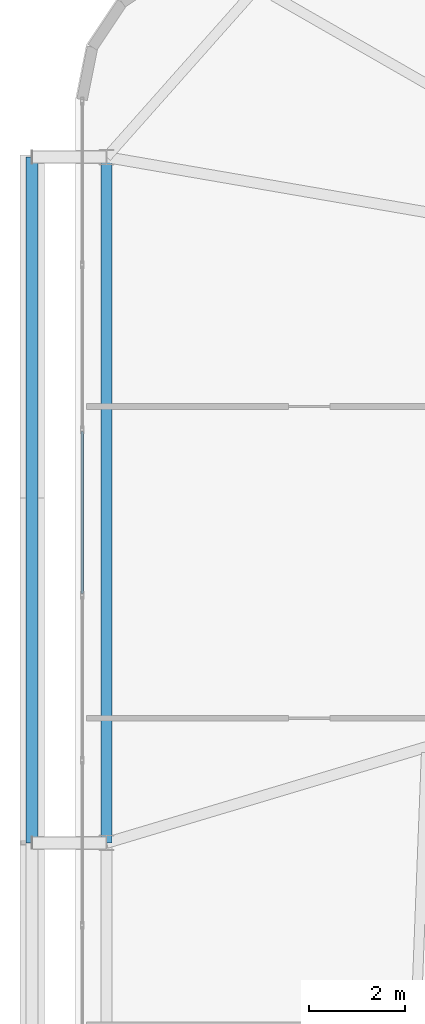
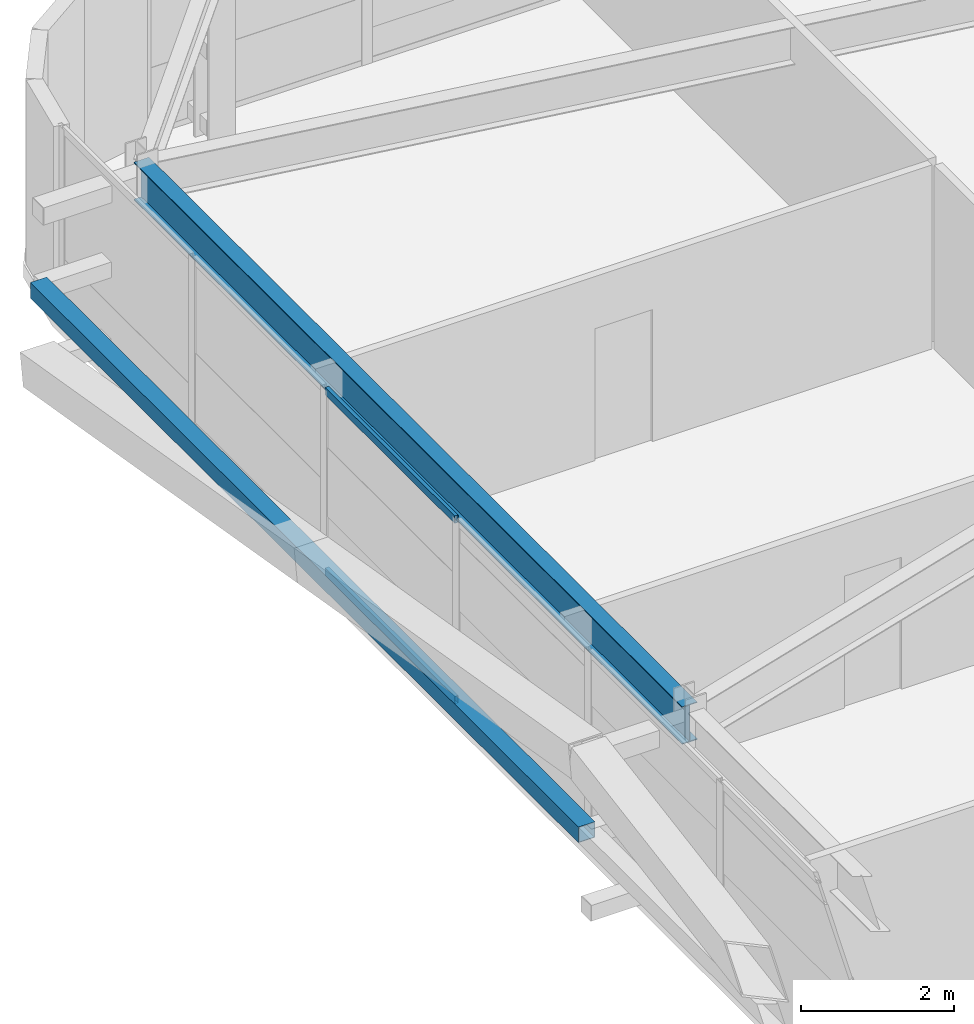
# One storey, part 17 of 59: 3 members, 1 beam, 1 element without a shape of its own.
"""IFC4 building model written with IfcOpenShell, lengths in metres."""

import ifcopenshell
import ifcopenshell.guid

model = None  # the IFC model being written
_history = None  # IfcOwnerHistory: only IFC2X3 demands one
_inside = {}  # id of a spatial element -> (the spatial element, [elements in it])
_under = {}  # id of a project, library or spatial element -> (it, [spatial elements below it])
_declared = {}  # id of a project -> (the project, [libraries it declares])
_typed = {}  # id of a type object -> (the type object, [elements of that type])
_made_of = {}  # id of a material, layer set ... -> (it, [elements and type objects made of it])


def new_model(schema):
    """Start an empty IFC model of exactly this schema.

    Asked for "IFC4X3", IfcOpenShell would pick the latest addendum, in which some entities
    have other attributes; the version numbers below select the first issue.
    IFC2X3 requires an IfcOwnerHistory on every rooted entity: one is made here for all.
    """
    global model, _history
    if schema == "IFC4X3":
        model = ifcopenshell.file(schema_version=(4, 3, 0, 0))
    else:
        model = ifcopenshell.file(schema=schema)
    _inside.clear()
    _under.clear()
    _declared.clear()
    _typed.clear()
    _made_of.clear()
    _history = None
    if model.schema == "IFC2X3":
        org = make("IfcOrganization", Name="unknown")
        user = make(
            "IfcPersonAndOrganization",
            ThePerson=make("IfcPerson", FamilyName="unknown"),
            TheOrganization=org,
        )
        app = make(
            "IfcApplication",
            ApplicationDeveloper=org,
            Version="unknown",
            ApplicationFullName="unknown",
            ApplicationIdentifier="unknown",
        )
        _history = make(
            "IfcOwnerHistory",
            OwningUser=user,
            OwningApplication=app,
            ChangeAction="ADDED",
            CreationDate=0,
        )
    return model


def make(cls, **values):
    """One entity of the class cls with the attributes given. An attribute that is None is left unset."""
    return model.create_entity(
        cls, **{name: value for name, value in values.items() if value is not None}
    )


def rooted(cls, **values):
    """An entity with a GlobalId (a new one), such as an element, a storey or a relation."""
    return make(cls, GlobalId=ifcopenshell.guid.new(), OwnerHistory=_history, **values)


def si_unit(unit_type, name, prefix=None):
    """IfcSIUnit, for example si_unit("LENGTHUNIT", "METRE", prefix="MILLI")."""
    return make("IfcSIUnit", UnitType=unit_type, Prefix=prefix, Name=name)


def assignment(units):
    """IfcUnitAssignment: the units of a project."""
    return None if units is None else make("IfcUnitAssignment", Units=units)


def point(xyz):
    """IfcCartesianPoint."""
    return None if xyz is None else make("IfcCartesianPoint", Coordinates=xyz)


def direction(xyz):
    """IfcDirection."""
    return None if xyz is None else make("IfcDirection", DirectionRatios=xyz)


def frame(location, z_axis=None, x_axis=None):
    """IfcAxis2Placement3D, a coordinate frame: its origin and axes. An axis left out is left unset."""
    return make(
        "IfcAxis2Placement3D",
        Location=point(location),
        Axis=direction(z_axis),
        RefDirection=direction(x_axis),
    )


def frame_2d(location, x_axis=None):
    """IfcAxis2Placement2D, a coordinate frame in the plane: its origin and x axis."""
    return make(
        "IfcAxis2Placement2D", Location=point(location), RefDirection=direction(x_axis)
    )


def origin():
    """The frame at (0, 0, 0) with its axes left unset."""
    return frame((0.0, 0.0, 0.0))


def origin_2d():
    """The frame at (0, 0) in the plane with its x axis left unset."""
    return frame_2d((0.0, 0.0))


def place(relative_to, where):
    """IfcLocalPlacement: puts the frame where relative to a parent placement (None: the world)."""
    return make(
        "IfcLocalPlacement", PlacementRelTo=relative_to, RelativePlacement=where
    )


def context(
    kind, dimensions, precision=None, world=None, true_north=None, identifier=None
):
    """IfcGeometricRepresentationContext, for example the 3D "Model" context."""
    return make(
        "IfcGeometricRepresentationContext",
        ContextIdentifier=identifier,
        ContextType=kind,
        CoordinateSpaceDimension=dimensions,
        Precision=precision,
        WorldCoordinateSystem=world,
        TrueNorth=true_north,
    )


def subcontext(parent, identifier, kind, view, scale=None):
    """IfcGeometricRepresentationSubContext, for example "Body" below "Model"."""
    return make(
        "IfcGeometricRepresentationSubContext",
        ContextIdentifier=identifier,
        ContextType=kind,
        ParentContext=parent,
        TargetScale=scale,
        TargetView=view,
    )


def project(units=None, contexts=None):
    """IfcProject with its units and contexts."""
    return rooted(
        "IfcProject",
        Name="project",
        RepresentationContexts=contexts,
        UnitsInContext=assignment(units),
    )


def spatial(cls, under=None, at=None, **own):
    """A site, building, storey or space (cls), placed at a placement, below another one or the project."""
    s = rooted(cls, ObjectPlacement=at, **own)
    if under is not None:
        _under.setdefault(under.id(), (under, []))[1].append(s)
    return s


def profile(cls, at=None, kind="AREA", **sizes):
    """A parametric profile (cls). Its sizes go by their IFC names, for example OverallWidth=200.0."""
    return make(cls, ProfileType=kind, Position=at, **sizes)


def hollow_rectangle(**sizes):
    """IfcRectangleHollowProfileDef."""
    return profile("IfcRectangleHollowProfileDef", **sizes)


def i_section(**sizes):
    """IfcIShapeProfileDef."""
    return profile("IfcIShapeProfileDef", **sizes)


def extrude(swept, where, along, depth):
    """IfcExtrudedAreaSolid: the profile swept, set in the frame where, extruded along a direction by depth."""
    return make(
        "IfcExtrudedAreaSolid",
        SweptArea=swept,
        Position=where,
        ExtrudedDirection=direction(along),
        Depth=depth,
    )


def shape(context_of_items, identifier, shape_type, items):
    """IfcShapeRepresentation: the items that make up one representation, for example the "Body"."""
    return make(
        "IfcShapeRepresentation",
        ContextOfItems=context_of_items,
        RepresentationIdentifier=identifier,
        RepresentationType=shape_type,
        Items=items,
    )


def source(mapping_origin, context_of_items, identifier, shape_type, items):
    """IfcRepresentationMap: a shape defined once, which mapped items show again and again."""
    return make(
        "IfcRepresentationMap",
        MappingOrigin=mapping_origin,
        MappedRepresentation=shape(context_of_items, identifier, shape_type, items),
    )


def transform(
    local_origin,
    x_axis=None,
    y_axis=None,
    z_axis=None,
    scale=None,
    scale2=None,
    scale3=None,
    uniform=True,
):
    """IfcCartesianTransformationOperator3D, or its non-uniform kind. x_axis, y_axis, z_axis: its Axis1, 2, 3."""
    if uniform:
        return make(
            "IfcCartesianTransformationOperator3D",
            Axis1=direction(x_axis),
            Axis2=direction(y_axis),
            LocalOrigin=point(local_origin),
            Scale=scale,
            Axis3=direction(z_axis),
        )
    return make(
        "IfcCartesianTransformationOperator3DnonUniform",
        Axis1=direction(x_axis),
        Axis2=direction(y_axis),
        LocalOrigin=point(local_origin),
        Scale=scale,
        Axis3=direction(z_axis),
        Scale2=scale2,
        Scale3=scale3,
    )


def mapped(mapping_source, mapping_target):
    """IfcMappedItem: shows the shape of a source again, moved by a transform."""
    return make(
        "IfcMappedItem", MappingSource=mapping_source, MappingTarget=mapping_target
    )


def material(Name=None, Category=None):
    """IfcMaterial."""
    return make("IfcMaterial", Name=Name, Category=Category)


def layer(
    of_material, thickness, ventilated=None, Name=None, Category=None, Priority=None
):
    """IfcMaterialLayer: one layer of a wall or slab, of a material (None: an air gap)."""
    return make(
        "IfcMaterialLayer",
        Material=of_material,
        LayerThickness=thickness,
        IsVentilated=ventilated,
        Name=Name,
        Category=Category,
        Priority=Priority,
    )


def layer_set(layers, Name=None):
    """IfcMaterialLayerSet."""
    return make("IfcMaterialLayerSet", MaterialLayers=layers, LayerSetName=Name)


def material_profile(
    of_material, cross_section, Name=None, Category=None, Priority=None
):
    """IfcMaterialProfile: a cross section and its material."""
    return make(
        "IfcMaterialProfile",
        Name=Name,
        Material=of_material,
        Profile=cross_section,
        Priority=Priority,
        Category=Category,
    )


def profile_set(profiles, Name=None, composite=None):
    """IfcMaterialProfileSet."""
    return make(
        "IfcMaterialProfileSet",
        Name=Name,
        MaterialProfiles=profiles,
        CompositeProfile=composite,
    )


def made_of(thing, what):
    """Note that an element or type object is made of a material, layer set ...; save() writes the relation."""
    if what is not None:
        _made_of.setdefault(what.id(), (what, []))[1].append(thing)
    return thing


def type_object(cls, material=None, **own):
    """A type object (cls), such as IfcWallType, which elements share."""
    return made_of(rooted(cls, **own), material)


def element(
    cls,
    number,
    at=None,
    inside=None,
    cuts=None,
    type_object=None,
    material=None,
    context=None,
    identifier="Body",
    shape_type=None,
    held_by="IfcProductDefinitionShape",
    body=None,
    shapes=None,
    **own,
):
    """One element of the class cls, such as IfcWall. Its Tag is "e" and its number.

    at: its placement. inside: the storey or other place that contains it. cuts: it is an
    opening in that element (IfcRelVoidsElement). A single representation is given by context,
    identifier, shape_type and body (its items); several are given by shapes. held_by: the class
    of the entity that holds the representations. save() writes the other relations.
    """
    e = rooted(cls, Tag="e%d" % number, ObjectPlacement=at, **own)
    if body is not None:
        shapes = [shape(context, identifier, shape_type, body)]
    if shapes is not None:
        e.Representation = make(held_by, Representations=shapes)
    if inside is not None:
        _inside.setdefault(inside.id(), (inside, []))[1].append(e)
    if cuts is not None:
        rooted(
            "IfcRelVoidsElement", RelatingBuildingElement=cuts, RelatedOpeningElement=e
        )
    if type_object is not None:
        _typed.setdefault(type_object.id(), (type_object, []))[1].append(e)
    return made_of(e, material)


def aggregate(whole, parts):
    """IfcRelAggregates: a whole, such as a stair, and the parts it consists of."""
    return rooted("IfcRelAggregates", RelatingObject=whole, RelatedObjects=parts)


def save(model, path):
    """Write the relations noted so far, then the file.

    IfcRelAggregates (storeys below a building ...), IfcRelContainedInSpatialStructure (elements
    in a storey), IfcRelDefinesByType, IfcRelAssociatesMaterial and IfcRelDeclares: one each for
    every whole, place, type object, material and project.
    """
    for whole, parts in _under.values():
        aggregate(whole, parts)
    for where, things in _inside.values():
        rooted(
            "IfcRelContainedInSpatialStructure",
            RelatedElements=things,
            RelatingStructure=where,
        )
    for kind, things in _typed.values():
        rooted("IfcRelDefinesByType", RelatedObjects=things, RelatingType=kind)
    for what, things in _made_of.values():
        rooted("IfcRelAssociatesMaterial", RelatedObjects=things, RelatingMaterial=what)
    for by, libraries in _declared.values():
        rooted("IfcRelDeclares", RelatingContext=by, RelatedDefinitions=libraries)
    model.write(path)


model = new_model("IFC4")

# Units and contexts
model_context = context("Model", 3, precision=1e-05, world=origin(), true_north=direction((0.0, 1.0)))
body_context = subcontext(model_context, "Body", "Model", "MODEL_VIEW")
ifc_project = project(units=[si_unit("LENGTHUNIT", "METRE"), si_unit("AREAUNIT", "SQUARE_METRE"), si_unit("VOLUMEUNIT", "CUBIC_METRE"), si_unit("PLANEANGLEUNIT", "RADIAN"), si_unit("MASSUNIT", "GRAM", prefix="KILO")], contexts=[model_context])

# Site, building, storey
site_placement = place(None, origin())
site = spatial("IfcSite", under=ifc_project, at=site_placement, CompositionType="ELEMENT")
building_placement = place(site_placement, origin())
building = spatial("IfcBuilding", under=site, at=building_placement, Name="Taldren Reach Tower", CompositionType="ELEMENT")
storey_placement = place(building_placement, frame((0.0, 0.0, 48.300048828125)))
storey = spatial("IfcBuildingStorey", under=building, at=storey_placement, Name="L14", CompositionType="ELEMENT", Elevation=48.300048828125)

# Beam
ifc_material_1 = material(Name="Steel Gr 350 (350PLUS)", Category="steel")
ifc_material_profile_1 = material_profile(ifc_material_1, i_section(OverallWidth=0.22802734375, OverallDepth=0.60205078125, WebThickness=0.010498046875, FlangeThickness=0.014892578125, at=origin_2d()), Name="610UB101")
ifc_profile_set_1 = profile_set([ifc_material_profile_1], Name="Steel Gr 350 (350PLUS)")
beam_type = type_object("IfcBeamType", Name="BM-UB610B", PredefinedType="BEAM", material=ifc_profile_set_1)
shared_shape_1 = source(origin(), body_context, "Body", "SweptSolid", [
    extrude(i_section(OverallWidth=0.22802734375, OverallDepth=0.60205078125, WebThickness=0.010498046875, FlangeThickness=0.014892578125, at=origin_2d()), origin(), (0.0, 0.0, 1.0), 14.300048828125),
])
beam_placement = place(storey_placement, frame((5.64990234375, 34.300048828125, 2.62890625), z_axis=(0.0, -1.0, 0.0), x_axis=(1.0, 0.0, 0.0)))
element("IfcBeam", 1, at=beam_placement, inside=storey, type_object=beam_type, Name="Perimeter gable girder B1 W3-W2 L14", PredefinedType="BEAM", context=body_context, shape_type="MappedRepresentation", body=[
    mapped(shared_shape_1, transform((0.0, 0.0, 0.0), scale=1.0)),
])

# Member
ifc_material_2 = material(Name="Steel Gr 350 (C350L0)", Category="steel")
ifc_material_profile_2 = material_profile(ifc_material_2, hollow_rectangle(XDim=0.25, YDim=0.25, WallThickness=0.010009765625, at=origin_2d()), Name="250x250x10.0SHS")
ifc_profile_set_2 = profile_set([ifc_material_profile_2], Name="Steel Gr 350 (C350L0)")
member_type_1 = type_object("IfcMemberType", Name="MB-POST250", PredefinedType="POST", material=ifc_profile_set_2)
shared_shape_2 = source(origin(), body_context, "Body", "SweptSolid", [
    extrude(hollow_rectangle(XDim=0.25, YDim=0.25, WallThickness=0.010009765625, at=origin_2d()), origin(), (0.0, 0.0, 1.0), 14.300048828125),
])
member_1_placement = place(storey_placement, frame((4.10009765625, 20.0, 1.43505859375), z_axis=(0.0, 1.0, 0.0), x_axis=(-1.0, 0.0, 0.0)))
element("IfcMember", 2, at=member_1_placement, inside=storey, type_object=member_type_1, Name="Exoskeleton mid-height ring chord B1-W2 L14", PredefinedType="POST", context=body_context, shape_type="MappedRepresentation", body=[
    mapped(shared_shape_2, transform((0.0, 0.0, 0.0), scale=1.0)),
])

# Curtain wall, members
ifc_material_3 = material(Name="Aluminium and Low-E Glass Unitised System", Category="aluminium")
ifc_layer = layer(ifc_material_3, 0.159912109375)
ifc_layer_set = layer_set([ifc_layer], Name="Aluminium and Low-E Glass Unitised System")
curtain_wall_type = type_object("IfcCurtainWallType", Name="CW-SYS-2", PredefinedType="NOTDEFINED", material=ifc_layer_set)
curtain_wall_placement = place(storey_placement, origin())
curtain_wall = element("IfcCurtainWall", 3, at=curtain_wall_placement, inside=storey, type_object=curtain_wall_type, Name="Unitised curtain wall CW-L14-W", PredefinedType="NOTDEFINED")
ifc_material_4 = material(Name="Anodised Aluminium 6063-T6", Category="aluminium")
ifc_material_profile_3 = material_profile(ifc_material_4, hollow_rectangle(XDim=0.054931640625, YDim=0.1201171875, WallThickness=0.0029296875, at=origin_2d()), Name="ALU-120x55x3RHS")
ifc_profile_set_3 = profile_set([ifc_material_profile_3], Name="Anodised Aluminium 6063-T6")
member_type_2 = type_object("IfcMemberType", Name="CW-TRN-135", PredefinedType="USERDEFINED", material=ifc_profile_set_3)
shared_shape_3 = source(origin(), body_context, "Body", "SweptSolid", [
    extrude(hollow_rectangle(XDim=0.054931640625, YDim=0.1201171875, WallThickness=0.0029296875, at=origin_2d()), origin(), (0.0, 0.0, 1.0), 3.37939453125),
])
member_2_placement = place(storey_placement, frame((5.139892578125, 28.57861328125, 0.02734375), z_axis=(0.0, -1.0, 0.0), x_axis=(1.0, 0.0, 0.0)))
member_2 = element("IfcMember", 4, at=member_2_placement, type_object=member_type_2, Name="CW-2 transom 3.1", ObjectType="TRANSOM", PredefinedType="USERDEFINED", context=body_context, shape_type="MappedRepresentation", body=[
    mapped(shared_shape_3, transform((0.0, 0.0, 0.0), scale=1.0)),
])
member_3_placement = place(storey_placement, frame((5.139892578125, 28.57861328125, 2.90234375), z_axis=(0.0, -1.0, 0.0), x_axis=(1.0, 0.0, 0.0)))
member_3 = element("IfcMember", 5, at=member_3_placement, type_object=member_type_2, Name="CW-2 transom 3.2", ObjectType="TRANSOM", PredefinedType="USERDEFINED", context=body_context, shape_type="MappedRepresentation", body=[
    mapped(shared_shape_3, transform((0.0, 0.0, 0.0), scale=1.0)),
])
aggregate(curtain_wall, [member_2, member_3])

save(model, "model.ifc")
